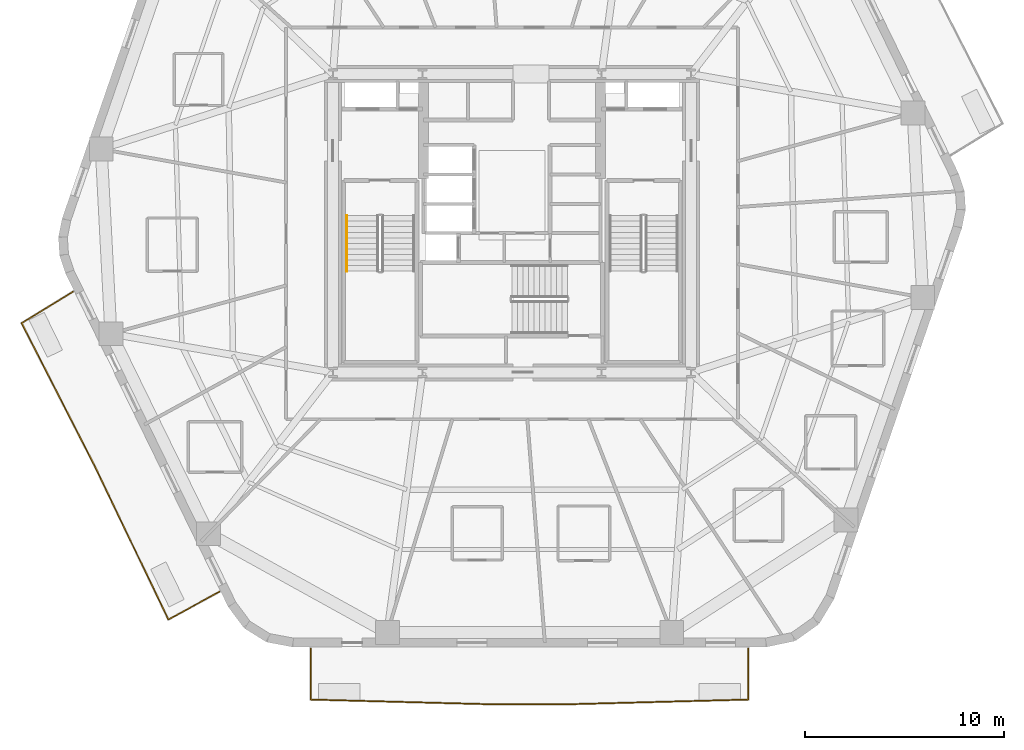
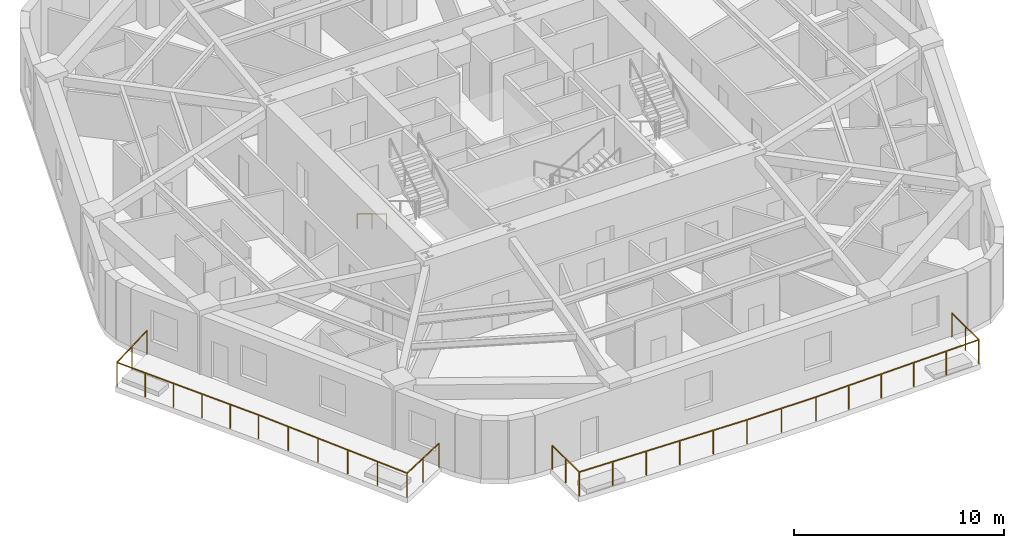
# One storey, part 8 of 10: 3 railings.
"""IFC4 building model written with IfcOpenShell, lengths in metres."""

from ifc_helpers import new_model, si_unit, direction, frame, origin, origin_2d, place, context, subcontext, project, spatial, rectangle, extrude, material, layer, layer_set, type_object, element, save


model = new_model("IFC4")

# Units and contexts
model_context = context("Model", 3, precision=1e-05, world=origin(), true_north=direction((0.0, 1.0)))
body_context = subcontext(model_context, "Body", "Model", "MODEL_VIEW")
ifc_project = project(units=[si_unit("LENGTHUNIT", "METRE"), si_unit("AREAUNIT", "SQUARE_METRE"), si_unit("VOLUMEUNIT", "CUBIC_METRE"), si_unit("PLANEANGLEUNIT", "RADIAN"), si_unit("MASSUNIT", "GRAM", prefix="KILO")], contexts=[model_context])

# Site, building, storey
site_placement = place(None, origin())
site = spatial("IfcSite", under=ifc_project, at=site_placement, CompositionType="ELEMENT")
building_placement = place(site_placement, origin())
building = spatial("IfcBuilding", under=site, at=building_placement, Name="Kilnhurst Terrace Hotel", CompositionType="ELEMENT")
storey_placement = place(building_placement, frame((0.0, 0.0, 95.10009765625)))
storey = spatial("IfcBuildingStorey", under=building, at=storey_placement, Name="L22", CompositionType="ELEMENT", Elevation=95.10009765625)

# Railings
ifc_material_1 = material(Name="Laminated SentryGlas and Stainless Steel AISI 316L Balustrade", Category="steel")
ifc_layer_1 = layer(ifc_material_1, 0.070068359375, Name="Laminated SentryGlas and Stainless Steel AISI 316L Balustrade")
ifc_layer_set_1 = layer_set([ifc_layer_1], Name="Laminated SentryGlas and Stainless Steel AISI 316L Balustrade")
railing_type_1 = type_object("IfcRailingType", Name="RLG-BAL-1420", PredefinedType="BALUSTRADE", material=ifc_layer_set_1)
railing_1_placement = place(storey_placement, frame((-14.722900390625, -18.529541015625, 0.0)))
element("IfcRailing", 1, at=railing_1_placement, inside=storey, type_object=railing_type_1, Name="L22 Exterior Terrace Guardrail BAL-L2A.1", PredefinedType="BALUSTRADE", context=body_context, shape_type="SweptSolid", body=[
    extrude(rectangle(XDim=0.048095703125, YDim=0.048095703125, at=origin_2d()), frame((0.0, 0.0, 1.39599609375), z_axis=(-0.878553207741, -0.477644492451, 0.0), x_axis=(0.477644492451, -0.878553207741, 0.0)), (0.0, 0.0, 1.0), 2.90478515625),
    extrude(rectangle(XDim=0.048095703125, YDim=0.048095703125, at=origin_2d()), frame((-2.552001953125, -1.387451171875, 1.39599609375), z_axis=(-0.43291229924, 0.901436043858, 0.0), x_axis=(-0.901436043858, -0.43291229924, 0.0)), (0.0, 0.0, 1.0), 8.583251953125),
    extrude(rectangle(XDim=0.048095703125, YDim=0.048095703125, at=origin_2d()), frame((-6.267822265625, 6.349853515625, 1.39599609375), z_axis=(-0.514495755428, 0.857492925713, 0.0), x_axis=(-0.857492925713, -0.514495755428, 0.0)), (0.0, 0.0, 1.0), 0.00146484375),
    extrude(rectangle(XDim=0.048095703125, YDim=0.048095703125, at=origin_2d()), frame((-6.2685546875, 6.35107421875, 1.39599609375), z_axis=(-0.455744437697, 0.890110671494, 0.0), x_axis=(-0.890110671494, -0.455744437697, 0.0)), (0.0, 0.0, 1.0), 8.039794921875),
    extrude(rectangle(XDim=0.048095703125, YDim=0.048095703125, at=origin_2d()), frame((-9.9326171875, 13.50732421875, 1.39599609375), z_axis=(0.85191630472, 0.523677963784, 0.0), x_axis=(-0.523677963784, 0.85191630472, 0.0)), (0.0, 0.0, 1.0), 3.0205078125),
    extrude(rectangle(XDim=0.0419921875, YDim=0.0419921875, at=origin_2d()), origin(), (0.0, 0.0, 1.0), 1.371826171875),
    extrude(rectangle(XDim=0.0419921875, YDim=0.0419921875, at=origin_2d()), frame((-1.27587890625, -0.69384765625, 0.0)), (0.0, 0.0, 1.0), 1.371826171875),
    extrude(rectangle(XDim=0.0419921875, YDim=0.0419921875, at=origin_2d()), frame((-2.552001953125, -1.387451171875, 0.0)), (0.0, 0.0, 1.0), 1.371826171875),
    extrude(rectangle(XDim=0.0419921875, YDim=0.0419921875, at=origin_2d()), frame((-3.295166015625, 0.159912109375, 0.0)), (0.0, 0.0, 1.0), 1.371826171875),
    extrude(rectangle(XDim=0.0419921875, YDim=0.0419921875, at=origin_2d()), frame((-4.038330078125, 1.70751953125, 0.0)), (0.0, 0.0, 1.0), 1.371826171875),
    extrude(rectangle(XDim=0.0419921875, YDim=0.0419921875, at=origin_2d()), frame((-4.781494140625, 3.2548828125, 0.0)), (0.0, 0.0, 1.0), 1.371826171875),
    extrude(rectangle(XDim=0.0419921875, YDim=0.0419921875, at=origin_2d()), frame((-5.524658203125, 4.802490234375, 0.0)), (0.0, 0.0, 1.0), 1.371826171875),
    extrude(rectangle(XDim=0.0419921875, YDim=0.0419921875, at=origin_2d()), frame((-6.267822265625, 6.349853515625, 0.0)), (0.0, 0.0, 1.0), 1.371826171875),
    extrude(rectangle(XDim=0.0419921875, YDim=0.0419921875, at=origin_2d()), frame((-6.2685546875, 6.35107421875, 0.0)), (0.0, 0.0, 1.0), 1.371826171875),
    extrude(rectangle(XDim=0.0419921875, YDim=0.0419921875, at=origin_2d()), frame((-7.00146484375, 7.7822265625, 0.0)), (0.0, 0.0, 1.0), 1.371826171875),
    extrude(rectangle(XDim=0.0419921875, YDim=0.0419921875, at=origin_2d()), frame((-7.734130859375, 9.213623046875, 0.0)), (0.0, 0.0, 1.0), 1.371826171875),
    extrude(rectangle(XDim=0.0419921875, YDim=0.0419921875, at=origin_2d()), frame((-8.467041015625, 10.644775390625, 0.0)), (0.0, 0.0, 1.0), 1.371826171875),
    extrude(rectangle(XDim=0.0419921875, YDim=0.0419921875, at=origin_2d()), frame((-9.19970703125, 12.076171875, 0.0)), (0.0, 0.0, 1.0), 1.371826171875),
    extrude(rectangle(XDim=0.0419921875, YDim=0.0419921875, at=origin_2d()), frame((-9.9326171875, 13.50732421875, 0.0)), (0.0, 0.0, 1.0), 1.371826171875),
    extrude(rectangle(XDim=0.0419921875, YDim=0.0419921875, at=origin_2d()), frame((-8.64599609375, 14.29833984375, 0.0)), (0.0, 0.0, 1.0), 1.371826171875),
    extrude(rectangle(XDim=0.0419921875, YDim=0.0419921875, at=origin_2d()), frame((-7.359375, 15.089111328125, 0.0)), (0.0, 0.0, 1.0), 1.371826171875),
])
railing_2_placement = place(storey_placement, frame((11.8837890625, -21.3798828125, 0.0)))
element("IfcRailing", 2, at=railing_2_placement, inside=storey, type_object=railing_type_1, Name="L22 Exterior Terrace Guardrail BAL-L2B.1", PredefinedType="BALUSTRADE", context=body_context, shape_type="SweptSolid", body=[
    extrude(rectangle(XDim=0.048095703125, YDim=0.048095703125, at=origin_2d()), frame((0.0, 0.0, 1.39599609375), z_axis=(0.0, -1.0, 0.0), x_axis=(1.0, 0.0, 0.0)), (0.0, 0.0, 1.0), 2.561767578125),
    extrude(rectangle(XDim=0.048095703125, YDim=0.048095703125, at=origin_2d()), frame((0.0, -2.561767578125, 1.39599609375), z_axis=(-0.999657105501, -0.026185328367, 0.0), x_axis=(0.026185328367, -0.999657105501, 0.0)), (0.0, 0.0, 1.0), 9.099853515625),
    extrude(rectangle(XDim=0.048095703125, YDim=0.048095703125, at=origin_2d()), frame((-9.0966796875, -2.800048828125, 1.39599609375), z_axis=(-1.0, 0.0, 0.0), x_axis=(0.0, -1.0, 0.0)), (0.0, 0.0, 1.0), 3.8134765625),
    extrude(rectangle(XDim=0.048095703125, YDim=0.048095703125, at=origin_2d()), frame((-12.91015625, -2.800048828125, 1.39599609375), z_axis=(-0.999657105501, 0.026185328367, 0.0), x_axis=(-0.026185328367, -0.999657105501, 0.0)), (0.0, 0.0, 1.0), 9.099853515625),
    extrude(rectangle(XDim=0.048095703125, YDim=0.048095703125, at=origin_2d()), frame((-22.0068359375, -2.561767578125, 1.39599609375), z_axis=(0.0, 1.0, 0.0), x_axis=(-1.0, 0.0, 0.0)), (0.0, 0.0, 1.0), 2.561767578125),
    extrude(rectangle(XDim=0.0419921875, YDim=0.0419921875, at=origin_2d()), origin(), (0.0, 0.0, 1.0), 1.371826171875),
    extrude(rectangle(XDim=0.0419921875, YDim=0.0419921875, at=origin_2d()), frame((0.0, -1.28076171875, 0.0)), (0.0, 0.0, 1.0), 1.371826171875),
    extrude(rectangle(XDim=0.0419921875, YDim=0.0419921875, at=origin_2d()), frame((0.0, -2.561767578125, 0.0)), (0.0, 0.0, 1.0), 1.371826171875),
    extrude(rectangle(XDim=0.0419921875, YDim=0.0419921875, at=origin_2d()), frame((-1.8193359375, -2.609375, 0.0)), (0.0, 0.0, 1.0), 1.371826171875),
    extrude(rectangle(XDim=0.0419921875, YDim=0.0419921875, at=origin_2d()), frame((-3.638671875, -2.656982421875, 0.0)), (0.0, 0.0, 1.0), 1.371826171875),
    extrude(rectangle(XDim=0.0419921875, YDim=0.0419921875, at=origin_2d()), frame((-5.4580078125, -2.704833984375, 0.0)), (0.0, 0.0, 1.0), 1.371826171875),
    extrude(rectangle(XDim=0.0419921875, YDim=0.0419921875, at=origin_2d()), frame((-7.27734375, -2.75244140625, 0.0)), (0.0, 0.0, 1.0), 1.371826171875),
    extrude(rectangle(XDim=0.0419921875, YDim=0.0419921875, at=origin_2d()), frame((-9.0966796875, -2.800048828125, 0.0)), (0.0, 0.0, 1.0), 1.371826171875),
    extrude(rectangle(XDim=0.0419921875, YDim=0.0419921875, at=origin_2d()), frame((-11.00341796875, -2.800048828125, 0.0)), (0.0, 0.0, 1.0), 1.371826171875),
    extrude(rectangle(XDim=0.0419921875, YDim=0.0419921875, at=origin_2d()), frame((-12.91015625, -2.800048828125, 0.0)), (0.0, 0.0, 1.0), 1.371826171875),
    extrude(rectangle(XDim=0.0419921875, YDim=0.0419921875, at=origin_2d()), frame((-14.7294921875, -2.75244140625, 0.0)), (0.0, 0.0, 1.0), 1.371826171875),
    extrude(rectangle(XDim=0.0419921875, YDim=0.0419921875, at=origin_2d()), frame((-16.548828125, -2.704833984375, 0.0)), (0.0, 0.0, 1.0), 1.371826171875),
    extrude(rectangle(XDim=0.0419921875, YDim=0.0419921875, at=origin_2d()), frame((-18.3681640625, -2.656982421875, 0.0)), (0.0, 0.0, 1.0), 1.371826171875),
    extrude(rectangle(XDim=0.0419921875, YDim=0.0419921875, at=origin_2d()), frame((-20.1875, -2.609375, 0.0)), (0.0, 0.0, 1.0), 1.371826171875),
    extrude(rectangle(XDim=0.0419921875, YDim=0.0419921875, at=origin_2d()), frame((-22.0068359375, -2.561767578125, 0.0)), (0.0, 0.0, 1.0), 1.371826171875),
    extrude(rectangle(XDim=0.0419921875, YDim=0.0419921875, at=origin_2d()), frame((-22.0068359375, -1.28076171875, 0.0)), (0.0, 0.0, 1.0), 1.371826171875),
    extrude(rectangle(XDim=0.0419921875, YDim=0.0419921875, at=origin_2d()), frame((-22.0068359375, 0.0, 0.0)), (0.0, 0.0, 1.0), 1.371826171875),
])
ifc_material_2 = material(Name="Brushed Stainless Steel AISI 304", Category="steel")
ifc_layer_2 = layer(ifc_material_2, 0.048095703125, Name="Brushed Stainless Steel AISI 304")
ifc_layer_set_2 = layer_set([ifc_layer_2], Name="Brushed Stainless Steel AISI 304")
railing_type_2 = type_object("IfcRailingType", Name="RLG-ST-HRL-900", PredefinedType="HANDRAIL", material=ifc_layer_set_2)
railing_3_placement = place(storey_placement, frame((-8.300048828125, 0.389892578125, 0.16796875)))
element("IfcRailing", 3, at=railing_3_placement, inside=storey, type_object=railing_type_2, Name="L22 ST-1 stair handrail 1", PredefinedType="HANDRAIL", context=body_context, shape_type="SweptSolid", body=[
    extrude(rectangle(XDim=0.048095703125, YDim=0.048095703125, at=origin_2d()), frame((0.0, 0.0, 0.8759765625), z_axis=(0.0, -0.857222391501, 0.514946377315), x_axis=(1.0, 0.0, 0.0)), (0.0, 0.0, 1.0), 3.26611328125),
    extrude(rectangle(XDim=0.0419921875, YDim=0.0419921875, at=origin_2d()), origin(), (0.0, 0.0, 1.0), 0.851806640625),
    extrude(rectangle(XDim=0.0419921875, YDim=0.0419921875, at=origin_2d()), frame((0.0, -1.39990234375, 0.8408203125)), (0.0, 0.0, 1.0), 0.851806640625),
    extrude(rectangle(XDim=0.0419921875, YDim=0.0419921875, at=origin_2d()), frame((0.0, -2.7998046875, 1.681884765625)), (0.0, 0.0, 1.0), 0.851806640625),
])

save(model, "model.ifc")
